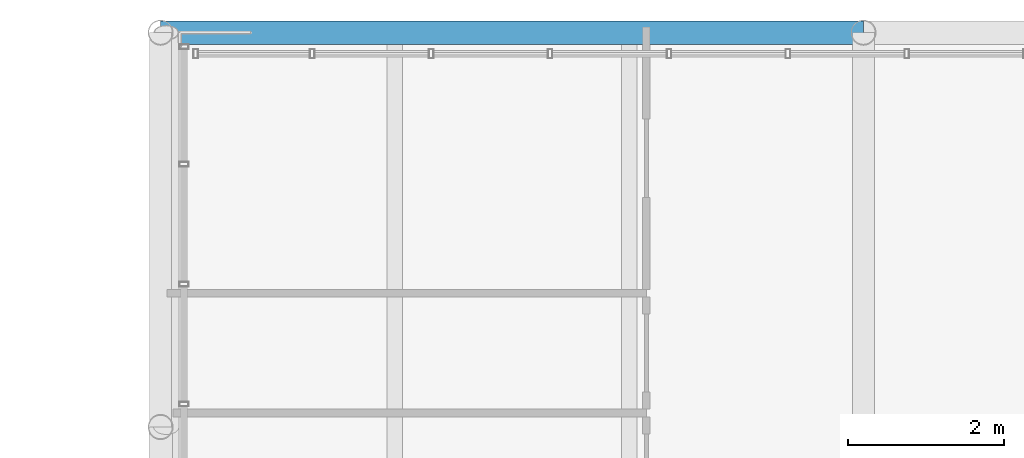
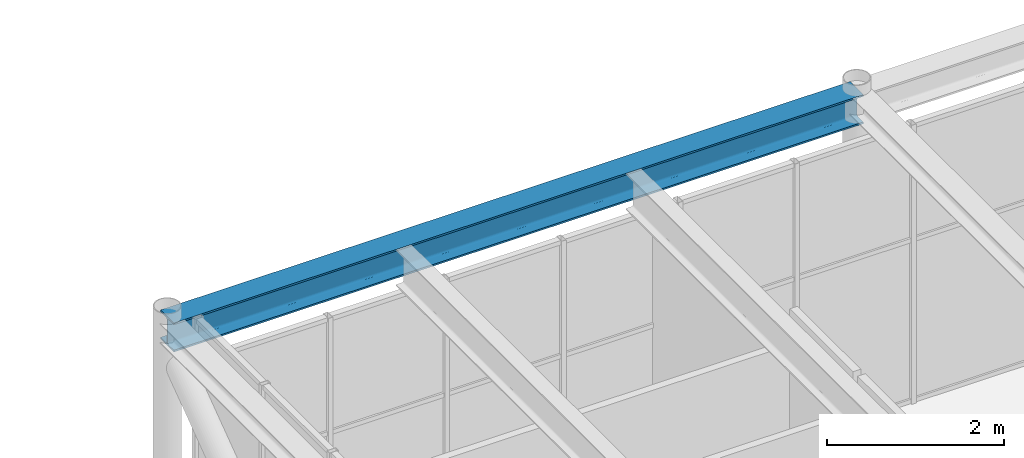
# One storey, part 23 of 70: 1 beam.
"""IFC4 building model written with IfcOpenShell, lengths in metres."""

from ifc_helpers import new_model, si_unit, direction, frame, origin, origin_2d, place, context, subcontext, project, spatial, i_section, extrude, material, material_profile, profile_set, type_object, element, save


model = new_model("IFC4")

# Units and contexts
model_context = context("Model", 3, precision=1e-05, world=origin(), true_north=direction((0.0, 1.0)))
body_context = subcontext(model_context, "Body", "Model", "MODEL_VIEW")
ifc_project = project(units=[si_unit("LENGTHUNIT", "METRE"), si_unit("AREAUNIT", "SQUARE_METRE"), si_unit("VOLUMEUNIT", "CUBIC_METRE"), si_unit("PLANEANGLEUNIT", "RADIAN"), si_unit("MASSUNIT", "GRAM", prefix="KILO")], contexts=[model_context])

# Site, building, storey
site_placement = place(None, origin())
site = spatial("IfcSite", under=ifc_project, at=site_placement, CompositionType="ELEMENT")
building_placement = place(site_placement, origin())
building = spatial("IfcBuilding", under=site, at=building_placement, Name="Kallimachos Central Library", CompositionType="ELEMENT")
storey_placement = place(building_placement, frame((0.0, 0.0, 18.89990234375)))
storey = spatial("IfcBuildingStorey", under=building, at=storey_placement, Name="L04", CompositionType="ELEMENT", Elevation=18.89990234375)

# Beam
ifc_material = material(Name="Steel S355J2", Category="steel")
ifc_material_profile = material_profile(ifc_material, i_section(OverallWidth=0.300048828125, OverallDepth=0.39990234375, WebThickness=0.013427734375, FlangeThickness=0.02392578125, FilletRadius=0.027099609375, at=origin_2d()), Name="HEB 400")
ifc_profile_set = profile_set([ifc_material_profile], Name="Steel S355J2")
beam_type = type_object("IfcBeamType", Name="HEB 400 beam", PredefinedType="BEAM", material=ifc_profile_set)
beam_placement = place(storey_placement, frame((65.5, 121.64990234375, 4.150146484375), z_axis=(1.0, 0.0, 0.0), x_axis=(0.0, 1.0, 0.0)))
element("IfcBeam", 1, at=beam_placement, inside=storey, type_object=beam_type, Name="V1-BEM-L04-044", PredefinedType="BEAM", context=body_context, shape_type="SweptSolid", body=[
    extrude(i_section(OverallWidth=0.300048828125, OverallDepth=0.39990234375, WebThickness=0.013427734375, FlangeThickness=0.02392578125, FilletRadius=0.027099609375, at=origin_2d()), origin(), (0.0, 0.0, 1.0), 9.0),
])

save(model, "model.ifc")
